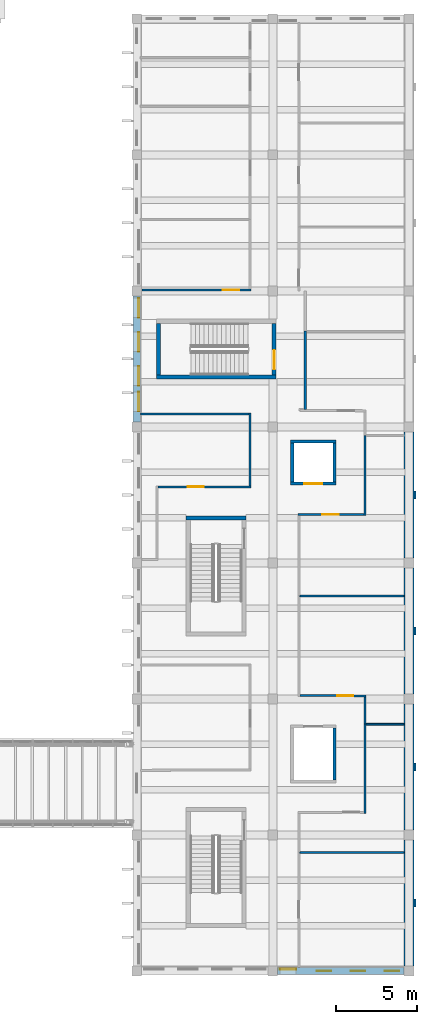
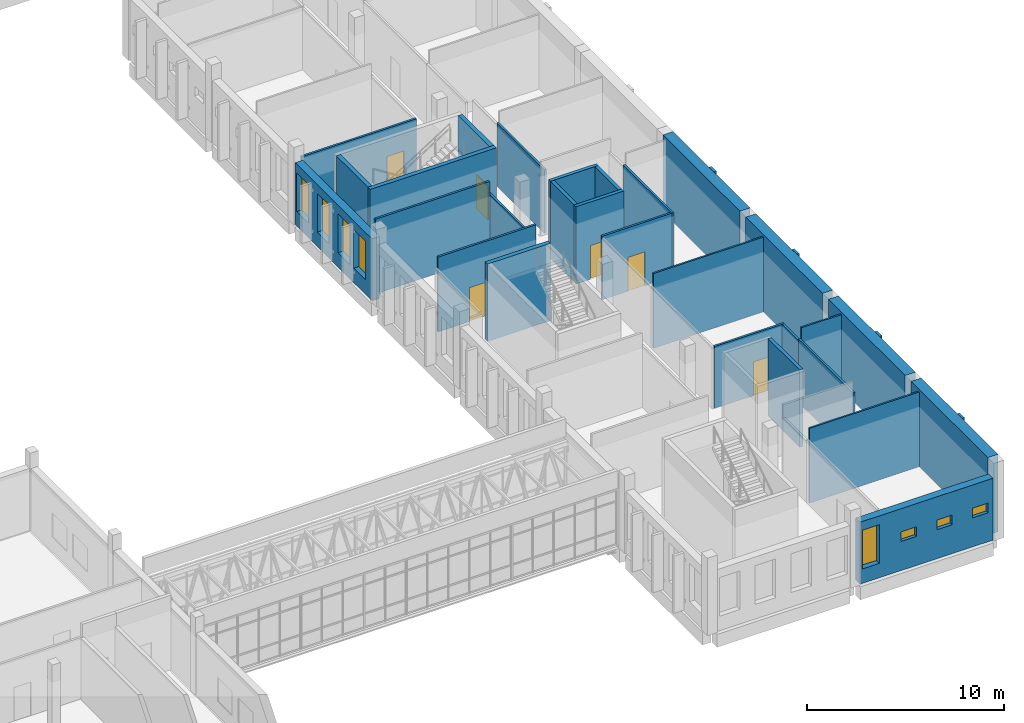
# One storey, part 63 of 119: 32 walls, 8 windows, 6 doors, 14 openings.
"""IFC4 building model written with IfcOpenShell, lengths in metres."""

from ifc_helpers import new_model, si_unit, direction, frame, frame_2d, origin, place, context, subcontext, project, spatial, rectangle, extrude, material, layer, layer_set, type_object, element, fill, save


model = new_model("IFC4")

# Units and contexts
model_context = context("Model", 3, precision=1e-05, world=origin(), true_north=direction((0.0, 1.0)))
body_context = subcontext(model_context, "Body", "Model", "MODEL_VIEW")
ifc_project = project(units=[si_unit("LENGTHUNIT", "METRE"), si_unit("AREAUNIT", "SQUARE_METRE"), si_unit("VOLUMEUNIT", "CUBIC_METRE"), si_unit("PLANEANGLEUNIT", "RADIAN"), si_unit("MASSUNIT", "GRAM", prefix="KILO")], contexts=[model_context])

# Site, building, storey
site_placement = place(None, origin())
site = spatial("IfcSite", under=ifc_project, at=site_placement, CompositionType="ELEMENT")
building_placement = place(site_placement, origin())
building = spatial("IfcBuilding", under=site, at=building_placement, Name="Larchfold Concert Hall", CompositionType="ELEMENT")
storey_placement = place(building_placement, frame((0.0, 0.0, 4.800048828125)))
storey = spatial("IfcBuildingStorey", under=building, at=storey_placement, Name="L01", CompositionType="ELEMENT", Elevation=4.800048828125)

# Wall
ifc_material_1 = material(Name="Plasterboard partition on steel studs", Category="steel")
ifc_layer_1 = layer(ifc_material_1, 0.125)
ifc_layer_set_1 = layer_set([ifc_layer_1], Name="Plasterboard partition on steel studs")
wall_type_1 = type_object("IfcWallType", Name="Corridor partition 125 EI 60", PredefinedType="PARTITIONING", material=ifc_layer_set_1)
wall_1_placement = place(storey_placement, frame((98.698974609375, 15.862060546875, 0.0), z_axis=(0.0, 0.0, 1.0), x_axis=(0.0, -1.0, 0.0)))
element("IfcWall", 1, at=wall_1_placement, inside=storey, type_object=wall_type_1, Name="Partition IW0027", PredefinedType="PARTITIONING", context=body_context, shape_type="SweptSolid", body=[
    extrude(rectangle(XDim=5.523681640625, YDim=0.125, at=frame_2d((2.76171875, 0.0))), origin(), (0.0, 0.0, 1.0), 3.93994140625),
])

# Wall, opening, door
wall_2_placement = place(storey_placement, frame((94.66162109375, 17.60888671875, 0.0), z_axis=(0.0, 0.0, 1.0), x_axis=(0.999997019568, -0.002441486203, 0.0)))
wall_2 = element("IfcWall", 2, at=wall_2_placement, inside=storey, type_object=wall_type_1, Name="Partition IW0034", PredefinedType="PARTITIONING", context=body_context, shape_type="SweptSolid", body=[
    extrude(rectangle(XDim=4.099853515625, YDim=0.125, at=frame_2d((2.0498046875, 0.0))), origin(), (0.0, 0.0, 1.0), 3.840087890625),
])
opening_1_placement = place(wall_2_placement, frame((2.30615234375, 0.0, 0.0)))
opening_1 = element("IfcOpeningElement", 3, at=opening_1_placement, cuts=wall_2, Name="Opening D-L01-123", PredefinedType="OPENING", context=body_context, shape_type="SweptSolid", body=[
    extrude(rectangle(XDim=1.0, YDim=2.10009765625, at=frame_2d((0.5, 1.050048828125))), frame((0.0, 0.072509765625, 0.0), z_axis=(0.0, -1.0, 0.0), x_axis=(1.0, 0.0, 0.0)), (0.0, 0.0, 1.0), 0.14501953125),
])
ifc_material_2 = material(Name="Timber door leaf", Category="wood")
door_type_1 = type_object("IfcDoorType", Name="Dressing room door 1000 x 2100 FD30S", OperationType="SINGLE_SWING_LEFT", PredefinedType="DOOR", material=ifc_material_2)
door_1_placement = place(opening_1_placement, origin())
door_1 = element("IfcDoor", 4, at=door_1_placement, inside=storey, type_object=door_type_1, Name="Door D-L01-123", OperationType="SINGLE_SWING_LEFT", OverallHeight=2.10009765625, OverallWidth=1.0, PredefinedType="DOOR", context=body_context, shape_type="SweptSolid", body=[
    extrude(rectangle(XDim=1.0, YDim=2.10009765625, at=frame_2d((0.5, 1.050048828125))), frame((0.0, 0.02490234375, 0.0), z_axis=(0.0, -1.0, 0.0), x_axis=(1.0, 0.0, 0.0)), (0.0, 0.0, 1.0), 0.050048828125),
])
fill(opening_1, door_1)

# Walls
wall_3_placement = place(storey_placement, frame((98.698974609375, 17.53662109375, 0.0), z_axis=(0.0, 0.0, 1.0), x_axis=(0.0, -1.0, 0.0)))
element("IfcWall", 5, at=wall_3_placement, inside=storey, type_object=wall_type_1, Name="Partition IW0035", PredefinedType="PARTITIONING", context=body_context, shape_type="SweptSolid", body=[
    extrude(rectangle(XDim=1.674560546875, YDim=0.125, at=frame_2d((0.83740234375, 0.0))), origin(), (0.0, 0.0, 1.0), 3.840087890625),
])
wall_4_placement = place(storey_placement, frame((98.698974609375, 33.68310546875, 0.0), z_axis=(0.0, 0.0, 1.0), x_axis=(0.0, -1.0, 0.0)))
element("IfcWall", 6, at=wall_4_placement, inside=storey, type_object=wall_type_1, Name="Partition IW0036", PredefinedType="PARTITIONING", context=body_context, shape_type="SweptSolid", body=[
    extrude(rectangle(XDim=4.944580078125, YDim=0.125, at=frame_2d((2.47216796875, 0.0))), origin(), (0.0, 0.0, 1.0), 3.93994140625),
])

# Wall, opening, door
wall_5_placement = place(storey_placement, frame((98.636474609375, 28.80078125, 0.0), z_axis=(0.0, 0.0, 1.0), x_axis=(-0.999998609293, -0.001667756332, 0.0)))
wall_5 = element("IfcWall", 7, at=wall_5_placement, inside=storey, type_object=wall_type_1, Name="Partition IW0037", PredefinedType="PARTITIONING", context=body_context, shape_type="SweptSolid", body=[
    extrude(rectangle(XDim=4.098876953125, YDim=0.125, at=frame_2d((2.04931640625, 0.0))), origin(), (0.0, 0.0, 1.0), 3.93994140625),
])
opening_2_placement = place(wall_5_placement, frame((1.57373046875, 0.0, 0.0)))
opening_2 = element("IfcOpeningElement", 8, at=opening_2_placement, cuts=wall_5, Name="Opening D-L01-124", PredefinedType="OPENING", context=body_context, shape_type="SweptSolid", body=[
    extrude(rectangle(XDim=1.0, YDim=2.10009765625, at=frame_2d((0.5, 1.050048828125))), frame((0.0, 0.072509765625, 0.0), z_axis=(0.0, -1.0, 0.0), x_axis=(1.0, 0.0, 0.0)), (0.0, 0.0, 1.0), 0.14501953125),
])
ifc_material_3 = material(Name="Timber door leaf", Category="wood")
door_type_2 = type_object("IfcDoorType", Name="Room door 1000 x 2100 FD30S", OperationType="SINGLE_SWING_LEFT", PredefinedType="DOOR", material=ifc_material_3)
door_2_placement = place(opening_2_placement, origin())
door_2 = element("IfcDoor", 9, at=door_2_placement, inside=storey, type_object=door_type_2, Name="Door D-L01-124", OperationType="SINGLE_SWING_RIGHT", OverallHeight=2.10009765625, OverallWidth=1.0, PredefinedType="DOOR", context=body_context, shape_type="SweptSolid", body=[
    extrude(rectangle(XDim=1.0, YDim=2.10009765625, at=frame_2d((0.5, 1.050048828125))), frame((0.0, 0.02490234375, 0.0), z_axis=(0.0, -1.0, 0.0), x_axis=(1.0, 0.0, 0.0)), (0.0, 0.0, 1.0), 0.050048828125),
])
fill(opening_2, door_2)

wall_6_placement = place(storey_placement, frame((85.91357421875, 30.4990234375, 0.0), z_axis=(0.0, 0.0, 1.0), x_axis=(1.0, 0.0, 0.0)))
wall_6 = element("IfcWall", 10, at=wall_6_placement, inside=storey, type_object=wall_type_1, Name="Partition IW0041", PredefinedType="PARTITIONING", context=body_context, shape_type="SweptSolid", body=[
    extrude(rectangle(XDim=5.740966796875, YDim=0.125, at=frame_2d((2.87060546875, 0.0))), origin(), (0.0, 0.0, 1.0), 4.639892578125),
])
opening_3_placement = place(wall_6_placement, frame((1.82666015625, 0.0, 0.0)))
opening_3 = element("IfcOpeningElement", 11, at=opening_3_placement, cuts=wall_6, Name="Opening D-L01-125", PredefinedType="OPENING", context=body_context, shape_type="SweptSolid", body=[
    extrude(rectangle(XDim=1.0, YDim=2.10009765625, at=frame_2d((0.5, 1.050048828125))), frame((0.0, 0.072509765625, 0.0), z_axis=(0.0, -1.0, 0.0), x_axis=(1.0, 0.0, 0.0)), (0.0, 0.0, 1.0), 0.14501953125),
])
door_3_placement = place(opening_3_placement, origin())
door_3 = element("IfcDoor", 12, at=door_3_placement, inside=storey, type_object=door_type_1, Name="Door D-L01-125", OperationType="SINGLE_SWING_LEFT", OverallHeight=2.10009765625, OverallWidth=1.0, PredefinedType="DOOR", context=body_context, shape_type="SweptSolid", body=[
    extrude(rectangle(XDim=1.0, YDim=2.10009765625, at=frame_2d((0.5, 1.050048828125))), frame((0.0, 0.02490234375, 0.0), z_axis=(0.0, -1.0, 0.0), x_axis=(1.0, 0.0, 0.0)), (0.0, 0.0, 1.0), 0.050048828125),
])
fill(opening_3, door_3)

# Walls
wall_7_placement = place(storey_placement, frame((91.592041015625, 30.5615234375, 0.0), z_axis=(0.0, 0.0, 1.0), x_axis=(0.000868243649, 0.999999623076, 0.0)))
element("IfcWall", 13, at=wall_7_placement, inside=storey, type_object=wall_type_1, Name="Partition IW0042", PredefinedType="PARTITIONING", context=body_context, shape_type="SweptSolid", body=[
    extrude(rectangle(XDim=4.4990234375, YDim=0.125, at=frame_2d((2.24951171875, 0.0))), origin(), (0.0, 0.0, 1.0), 3.840087890625),
])
wall_8_placement = place(storey_placement, frame((91.533447265625, 34.998046875, 0.0), z_axis=(0.0, 0.0, 1.0), x_axis=(-0.999999957615, 0.000291152588, 0.0)))
element("IfcWall", 14, at=wall_8_placement, inside=storey, type_object=wall_type_1, Name="Partition IW0043", PredefinedType="PARTITIONING", context=body_context, shape_type="SweptSolid", body=[
    extrude(rectangle(XDim=6.708251953125, YDim=0.125, at=frame_2d((3.35400390625, 0.0))), origin(), (0.0, 0.0, 1.0), 4.639892578125),
])
wall_9_placement = place(storey_placement, frame((94.9990234375, 40.118896484375, 0.0), z_axis=(0.0, 0.0, 1.0), x_axis=(0.0, -1.0, 0.0)))
element("IfcWall", 15, at=wall_9_placement, inside=storey, type_object=wall_type_1, Name="Partition IW0044", PredefinedType="PARTITIONING", context=body_context, shape_type="SweptSolid", body=[
    extrude(rectangle(XDim=4.830322265625, YDim=0.125, at=frame_2d((2.4150390625, 0.0))), origin(), (0.0, 0.0, 1.0), 3.93994140625),
])

# Wall, opening, door
wall_10_placement = place(storey_placement, frame((84.920166015625, 42.64892578125, 0.0), z_axis=(0.0, 0.0, 1.0), x_axis=(0.999999710811, 0.000760511133, 0.0)))
wall_10 = element("IfcWall", 16, at=wall_10_placement, inside=storey, type_object=wall_type_1, Name="Partition IW0049", PredefinedType="PARTITIONING", context=body_context, shape_type="SweptSolid", body=[
    extrude(rectangle(XDim=6.741455078125, YDim=0.125, at=frame_2d((3.37060546875, 0.0))), origin(), (0.0, 0.0, 1.0), 3.840087890625),
])
opening_4_placement = place(wall_10_placement, frame((4.995361328125, 0.0, 0.0)))
opening_4 = element("IfcOpeningElement", 17, at=opening_4_placement, cuts=wall_10, Name="Opening D-L01-128", PredefinedType="OPENING", context=body_context, shape_type="SweptSolid", body=[
    extrude(rectangle(XDim=1.0, YDim=2.10009765625, at=frame_2d((0.5, 1.050048828125))), frame((0.0, 0.072509765625, 0.0), z_axis=(0.0, -1.0, 0.0), x_axis=(1.0, 0.0, 0.0)), (0.0, 0.0, 1.0), 0.14501953125),
])
door_4_placement = place(opening_4_placement, origin())
door_4 = element("IfcDoor", 18, at=door_4_placement, inside=storey, type_object=door_type_1, Name="Door D-L01-128", OperationType="SINGLE_SWING_RIGHT", OverallHeight=2.10009765625, OverallWidth=1.0, PredefinedType="DOOR", context=body_context, shape_type="SweptSolid", body=[
    extrude(rectangle(XDim=1.0, YDim=2.10009765625, at=frame_2d((0.5, 1.050048828125))), frame((0.0, 0.02490234375, 0.0), z_axis=(0.0, -1.0, 0.0), x_axis=(1.0, 0.0, 0.0)), (0.0, 0.0, 1.0), 0.050048828125),
])
fill(opening_4, door_4)

# Walls
ifc_material_4 = material(Name="Plasterboard partition on steel studs", Category="steel")
ifc_layer_2 = layer(ifc_material_4, 0.10009765625)
ifc_layer_set_2 = layer_set([ifc_layer_2], Name="Plasterboard partition on steel studs")
wall_type_2 = type_object("IfcWallType", Name="Stud partition 100", PredefinedType="PARTITIONING", material=ifc_layer_set_2)
wall_11_placement = place(storey_placement, frame((94.6650390625, 7.9208984375, 0.0), z_axis=(0.0, 0.0, 1.0), x_axis=(1.0, 0.0, 0.0)))
element("IfcWall", 19, at=wall_11_placement, inside=storey, type_object=wall_type_2, Name="Partition IW0056", PredefinedType="PARTITIONING", context=body_context, shape_type="SweptSolid", body=[
    extrude(rectangle(XDim=6.43505859375, YDim=0.10009765625, at=frame_2d((3.217529296875, 0.0))), origin(), (0.0, 0.0, 1.0), 4.639892578125),
])
wall_12_placement = place(storey_placement, frame((98.764892578125, 15.842041015625, 0.0), z_axis=(0.0, 0.0, 1.0), x_axis=(1.0, 0.0, 0.0)))
element("IfcWall", 20, at=wall_12_placement, inside=storey, type_object=wall_type_2, Name="Partition IW0057", PredefinedType="PARTITIONING", context=body_context, shape_type="SweptSolid", body=[
    extrude(rectangle(XDim=2.335205078125, YDim=0.10009765625, at=frame_2d((1.16748046875, 0.0))), origin(), (0.0, 0.0, 1.0), 4.639892578125),
])
wall_13_placement = place(storey_placement, frame((94.6650390625, 23.761962890625, 0.0), z_axis=(0.0, 0.0, 1.0), x_axis=(1.0, 0.0, 0.0)))
element("IfcWall", 21, at=wall_13_placement, inside=storey, type_object=wall_type_2, Name="Partition IW0058", PredefinedType="PARTITIONING", context=body_context, shape_type="SweptSolid", body=[
    extrude(rectangle(XDim=6.43505859375, YDim=0.10009765625, at=frame_2d((3.217529296875, 0.0))), origin(), (0.0, 0.0, 1.0), 4.639892578125),
])
ifc_material_5 = material(Name="Concrete C40/50", Category="concrete")
ifc_layer_3 = layer(ifc_material_5, 0.199951171875)
ifc_layer_set_3 = layer_set([ifc_layer_3], Name="Concrete C40/50")
wall_type_3 = type_object("IfcWallType", Name="Wall RC 200 lift shaft", PredefinedType="SOLIDWALL", material=ifc_layer_set_3)
wall_14_placement = place(storey_placement, frame((96.7998046875, 12.39990234375, 0.0), z_axis=(0.0, 0.0, 1.0), x_axis=(0.0, 1.0, 0.0)))
element("IfcWall", 22, at=wall_14_placement, inside=storey, type_object=wall_type_3, Name="Wall W0167", PredefinedType="SOLIDWALL", context=body_context, shape_type="SweptSolid", body=[
    extrude(rectangle(XDim=3.2001953125, YDim=0.199951171875, at=frame_2d((1.60009765625, 0.0))), origin(), (0.0, 0.0, 1.0), 4.800048828125),
])

# Wall, opening, door
wall_15_placement = place(storey_placement, frame((94.10009765625, 30.7001953125, 0.0), z_axis=(0.0, 0.0, 1.0), x_axis=(1.0, 0.0, 0.0)))
wall_15 = element("IfcWall", 23, at=wall_15_placement, inside=storey, type_object=wall_type_3, Name="Wall W0168", PredefinedType="SOLIDWALL", context=body_context, shape_type="SweptSolid", body=[
    extrude(rectangle(XDim=2.7998046875, YDim=0.199951171875, at=frame_2d((1.39990234375, 0.0))), origin(), (0.0, 0.0, 1.0), 4.800048828125),
])
opening_5_placement = place(wall_15_placement, frame((0.849853515625, 0.0, 0.0)))
opening_5 = element("IfcOpeningElement", 24, at=opening_5_placement, cuts=wall_15, Name="Opening LD-LF07", PredefinedType="OPENING", context=body_context, shape_type="SweptSolid", body=[
    extrude(rectangle(XDim=1.10009765625, YDim=2.10009765625, at=frame_2d((0.550048828125, 1.050048828125))), frame((0.0, 0.10986328125, 0.0), z_axis=(0.0, -1.0, 0.0), x_axis=(1.0, 0.0, 0.0)), (0.0, 0.0, 1.0), 0.219970703125),
])
ifc_material_6 = material(Name="Stainless steel sliding leaves", Category="steel")
door_type_3 = type_object("IfcDoorType", Name="Lift landing door sliding 1100 x 2100", OperationType="SLIDING_TO_LEFT", PredefinedType="DOOR", material=ifc_material_6)
door_5_placement = place(opening_5_placement, origin())
door_5 = element("IfcDoor", 25, at=door_5_placement, inside=storey, type_object=door_type_3, Name="Lift landing door LF07", OperationType="SLIDING_TO_LEFT", OverallHeight=2.10009765625, OverallWidth=1.10009765625, PredefinedType="DOOR", context=body_context, shape_type="SweptSolid", body=[
    extrude(rectangle(XDim=1.10009765625, YDim=2.10009765625, at=frame_2d((0.550048828125, 1.050048828125))), frame((0.0, 0.02490234375, 0.0), z_axis=(0.0, -1.0, 0.0), x_axis=(1.0, 0.0, 0.0)), (0.0, 0.0, 1.0), 0.050048828125),
])
fill(opening_5, door_5)

# Walls
wall_16_placement = place(storey_placement, frame((94.10009765625, 33.2998046875, 0.0), z_axis=(0.0, 0.0, 1.0), x_axis=(1.0, 0.0, 0.0)))
element("IfcWall", 26, at=wall_16_placement, inside=storey, type_object=wall_type_3, Name="Wall W0169", PredefinedType="SOLIDWALL", context=body_context, shape_type="SweptSolid", body=[
    extrude(rectangle(XDim=2.7998046875, YDim=0.199951171875, at=frame_2d((1.39990234375, 0.0))), origin(), (0.0, 0.0, 1.0), 4.800048828125),
])
for number, where, z_axis, x_axis, name in (
    (27, (94.2001953125, 30.800048828125, 0.0), (0.0, 0.0, 1.0), (0.0, 1.0, 0.0), "Wall W0170"),
    (28, (96.7998046875, 30.800048828125, 0.0), (0.0, 0.0, 1.0), (0.0, 1.0, 0.0), "Wall W0171"),
):
    element("IfcWall", number, at=place(storey_placement, frame(where, z_axis=z_axis, x_axis=x_axis)), inside=storey, type_object=wall_type_3, Name=name, PredefinedType="SOLIDWALL", context=body_context, shape_type="SweptSolid", body=[
        extrude(rectangle(XDim=2.39990234375, YDim=0.199951171875, at=frame_2d((1.199951171875, 0.0))), origin(), (0.0, 0.0, 1.0), 4.800048828125),
    ])
ifc_material_7 = material(Name="Concrete C40/50", Category="concrete")
ifc_layer_4 = layer(ifc_material_7, 0.25)
ifc_layer_set_4 = layer_set([ifc_layer_4], Name="Concrete C40/50")
wall_type_4 = type_object("IfcWallType", Name="Wall RC 250 stair core", PredefinedType="SOLIDWALL", material=ifc_layer_set_4)
wall_17_placement = place(storey_placement, frame((87.64990234375, 28.574951171875, 0.0), z_axis=(0.0, 0.0, 1.0), x_axis=(1.0, 0.0, 0.0)))
element("IfcWall", 29, at=wall_17_placement, inside=storey, type_object=wall_type_4, Name="Wall W0085", PredefinedType="SOLIDWALL", context=body_context, shape_type="SweptSolid", body=[
    extrude(rectangle(XDim=3.7001953125, YDim=0.25, at=frame_2d((1.85009765625, 0.0))), origin(), (0.0, 0.0, 1.0), 4.800048828125),
])
wall_18_placement = place(storey_placement, frame((85.800048828125, 37.27490234375, 0.0), z_axis=(0.0, 0.0, 1.0), x_axis=(1.0, 0.0, 0.0)))
element("IfcWall", 30, at=wall_18_placement, inside=storey, type_object=wall_type_4, Name="Wall W0088", PredefinedType="SOLIDWALL", context=body_context, shape_type="SweptSolid", body=[
    extrude(rectangle(XDim=7.39990234375, YDim=0.25, at=frame_2d((3.699951171875, 0.0))), origin(), (0.0, 0.0, 1.0), 4.800048828125),
])
wall_19_placement = place(storey_placement, frame((85.925048828125, 37.39990234375, 0.0), z_axis=(0.0, 0.0, 1.0), x_axis=(0.0, 1.0, 0.0)))
element("IfcWall", 31, at=wall_19_placement, inside=storey, type_object=wall_type_4, Name="Wall W0090", PredefinedType="SOLIDWALL", context=body_context, shape_type="SweptSolid", body=[
    extrude(rectangle(XDim=3.2001953125, YDim=0.25, at=frame_2d((1.60009765625, 0.0))), origin(), (0.0, 0.0, 1.0), 4.800048828125),
])

# Wall, opening, door
wall_20_placement = place(storey_placement, frame((93.074951171875, 37.39990234375, 0.0), z_axis=(0.0, 0.0, 1.0), x_axis=(0.0, 1.0, 0.0)))
wall_20 = element("IfcWall", 32, at=wall_20_placement, inside=storey, type_object=wall_type_4, Name="Wall W0091", PredefinedType="SOLIDWALL", context=body_context, shape_type="SweptSolid", body=[
    extrude(rectangle(XDim=3.2001953125, YDim=0.25, at=frame_2d((1.60009765625, 0.0))), origin(), (0.0, 0.0, 1.0), 4.800048828125),
])
opening_6_placement = place(wall_20_placement, frame((0.35009765625, 0.0, 0.0)))
opening_6 = element("IfcOpeningElement", 33, at=opening_6_placement, cuts=wall_20, Name="Opening D-L01-175", PredefinedType="OPENING", context=body_context, shape_type="SweptSolid", body=[
    extrude(rectangle(XDim=1.199951171875, YDim=2.10009765625, at=frame_2d((0.60009765625, 1.050048828125))), frame((0.0, 0.135009765625, 0.0), z_axis=(0.0, -1.0, 0.0), x_axis=(1.0, 0.0, 0.0)), (0.0, 0.0, 1.0), 0.27001953125),
])
ifc_material_8 = material(Name="Timber door leaf", Category="wood")
door_type_4 = type_object("IfcDoorType", Name="Stair enclosure door pair 1200 x 2100 FD60", OperationType="SINGLE_SWING_LEFT", PredefinedType="DOOR", material=ifc_material_8)
door_6_placement = place(opening_6_placement, origin())
door_6 = element("IfcDoor", 34, at=door_6_placement, inside=storey, type_object=door_type_4, Name="Door D-L01-175", OperationType="DOUBLE_DOOR_SINGLE_SWING", OverallHeight=2.10009765625, OverallWidth=1.199951171875, PredefinedType="DOOR", context=body_context, shape_type="SweptSolid", body=[
    extrude(rectangle(XDim=1.199951171875, YDim=2.10009765625, at=frame_2d((0.60009765625, 1.050048828125))), frame((0.0, 0.02490234375, 0.0), z_axis=(0.0, -1.0, 0.0), x_axis=(1.0, 0.0, 0.0)), (0.0, 0.0, 1.0), 0.050048828125),
])
fill(opening_6, door_6)

# Walls
ifc_material_9 = material(Name="Concrete C40/50", Category="concrete")
ifc_layer_5 = layer(ifc_material_9, 0.60009765625)
ifc_layer_set_5 = layer_set([ifc_layer_5], Name="Concrete C40/50")
wall_type_5 = type_object("IfcWallType", Name="Wall RC 600 party wall", PredefinedType="SOLIDWALL", material=ifc_layer_set_5)
for number, where, z_axis, x_axis, name in (
    (35, (101.39990234375, 0.89990234375, 0.0), (0.0, 0.0, 1.0), (0.0, 1.0, 0.0), "Wall W0020"),
    (36, (101.39990234375, 9.300048828125, 0.0), (0.0, 0.0, 1.0), (0.0, 1.0, 0.0), "Wall W0021"),
    (37, (101.39990234375, 17.699951171875, 0.0), (0.0, 0.0, 1.0), (0.0, 1.0, 0.0), "Wall W0022"),
):
    element("IfcWall", number, at=place(storey_placement, frame(where, z_axis=z_axis, x_axis=x_axis)), inside=storey, type_object=wall_type_5, Name=name, PredefinedType="SOLIDWALL", context=body_context, shape_type="SweptSolid", body=[
        extrude(rectangle(XDim=7.800048828125, YDim=0.60009765625, at=frame_2d((3.89990234375, 0.0))), origin(), (0.0, 0.0, 1.0), 4.800048828125),
    ])
wall_21_placement = place(storey_placement, frame((101.39990234375, 26.10009765625, 0.0), z_axis=(0.0, 0.0, 1.0), x_axis=(0.0, 1.0, 0.0)))
element("IfcWall", 38, at=wall_21_placement, inside=storey, type_object=wall_type_5, Name="Wall W0023", PredefinedType="SOLIDWALL", context=body_context, shape_type="SweptSolid", body=[
    extrude(rectangle(XDim=7.7998046875, YDim=0.60009765625, at=frame_2d((3.89990234375, 0.0))), origin(), (0.0, 0.0, 1.0), 4.800048828125),
])

# Wall, openings, windows
ifc_material_10 = material(Name="White render on mineral wool and block")
ifc_layer_6 = layer(ifc_material_10, 0.449951171875)
ifc_layer_set_6 = layer_set([ifc_layer_6], Name="White render on mineral wool and block")
wall_type_6 = type_object("IfcWallType", Name="White render infill wall 450", PredefinedType="SOLIDWALL", material=ifc_layer_set_6)
wall_22_placement = place(storey_placement, frame((84.60009765625, 42.300048828125, 0.0), z_axis=(0.0, 0.0, 1.0), x_axis=(0.0, -1.0, 0.0)))
wall_22 = element("IfcWall", 39, at=wall_22_placement, inside=storey, type_object=wall_type_6, Name="Infill wall W5138", PredefinedType="SOLIDWALL", context=body_context, shape_type="SweptSolid", body=[
    extrude(rectangle(XDim=7.800048828125, YDim=0.449951171875, at=frame_2d((3.89990234375, 0.0))), origin(), (0.0, 0.0, 1.0), 3.840087890625),
])
opening_7_placement = place(wall_22_placement, frame((5.93505859375, 0.0, 0.89990234375)))
opening_7 = element("IfcOpeningElement", 40, at=opening_7_placement, cuts=wall_22, Name="Opening WN-L01-073", PredefinedType="OPENING", context=body_context, shape_type="SweptSolid", body=[
    extrude(rectangle(XDim=1.199951171875, YDim=2.39990234375, at=frame_2d((0.60009765625, 1.199951171875))), frame((0.0, 0.23486328125, 0.0), z_axis=(0.0, -1.0, 0.0), x_axis=(1.0, 0.0, 0.0)), (0.0, 0.0, 1.0), 0.469970703125),
])
opening_8_placement = place(wall_22_placement, frame((4.35009765625, 0.0, 0.89990234375)))
opening_8 = element("IfcOpeningElement", 41, at=opening_8_placement, cuts=wall_22, Name="Opening WN-L01-074", PredefinedType="OPENING", context=body_context, shape_type="SweptSolid", body=[
    extrude(rectangle(XDim=1.199951171875, YDim=2.39990234375, at=frame_2d((0.60009765625, 1.199951171875))), frame((0.0, 0.23486328125, 0.0), z_axis=(0.0, -1.0, 0.0), x_axis=(1.0, 0.0, 0.0)), (0.0, 0.0, 1.0), 0.469970703125),
])
opening_9_placement = place(wall_22_placement, frame((2.25, 0.0, 0.89990234375)))
opening_9 = element("IfcOpeningElement", 42, at=opening_9_placement, cuts=wall_22, Name="Opening WN-L01-075", PredefinedType="OPENING", context=body_context, shape_type="SweptSolid", body=[
    extrude(rectangle(XDim=1.199951171875, YDim=2.39990234375, at=frame_2d((0.60009765625, 1.199951171875))), frame((0.0, 0.23486328125, 0.0), z_axis=(0.0, -1.0, 0.0), x_axis=(1.0, 0.0, 0.0)), (0.0, 0.0, 1.0), 0.469970703125),
])
opening_10_placement = place(wall_22_placement, frame((0.150146484375, 0.0, 0.89990234375)))
opening_10 = element("IfcOpeningElement", 43, at=opening_10_placement, cuts=wall_22, Name="Opening WN-L01-076", PredefinedType="OPENING", context=body_context, shape_type="SweptSolid", body=[
    extrude(rectangle(XDim=1.199951171875, YDim=2.39990234375, at=frame_2d((0.60009765625, 1.199951171875))), frame((0.0, 0.23486328125, 0.0), z_axis=(0.0, -1.0, 0.0), x_axis=(1.0, 0.0, 0.0)), (0.0, 0.0, 1.0), 0.469970703125),
])
ifc_material_11 = material(Name="Anodised graphite aluminium frame with glass", Category="aluminium")
window_type_1 = type_object("IfcWindowType", Name="Slot window 1200x2400", PartitioningType="SINGLE_PANEL", PredefinedType="WINDOW", material=ifc_material_11)
window_1_placement = place(opening_7_placement, origin())
window_1 = element("IfcWindow", 44, at=window_1_placement, inside=storey, type_object=window_type_1, Name="Window WN-L01-073", OverallHeight=2.39990234375, OverallWidth=1.199951171875, PartitioningType="SINGLE_PANEL", PredefinedType="WINDOW", context=body_context, shape_type="SweptSolid", body=[
    extrude(rectangle(XDim=1.199951171875, YDim=2.39990234375, at=frame_2d((0.60009765625, 1.199951171875))), frame((0.0, 0.135009765625, 0.0), z_axis=(0.0, -1.0, 0.0), x_axis=(1.0, 0.0, 0.0)), (0.0, 0.0, 1.0), 0.06005859375),
])
fill(opening_7, window_1)
window_2_placement = place(opening_8_placement, origin())
window_2 = element("IfcWindow", 45, at=window_2_placement, inside=storey, type_object=window_type_1, Name="Window WN-L01-074", OverallHeight=2.39990234375, OverallWidth=1.199951171875, PartitioningType="SINGLE_PANEL", PredefinedType="WINDOW", context=body_context, shape_type="SweptSolid", body=[
    extrude(rectangle(XDim=1.199951171875, YDim=2.39990234375, at=frame_2d((0.60009765625, 1.199951171875))), frame((0.0, 0.135009765625, 0.0), z_axis=(0.0, -1.0, 0.0), x_axis=(1.0, 0.0, 0.0)), (0.0, 0.0, 1.0), 0.06005859375),
])
fill(opening_8, window_2)
window_3_placement = place(opening_9_placement, origin())
window_3 = element("IfcWindow", 46, at=window_3_placement, inside=storey, type_object=window_type_1, Name="Window WN-L01-075", OverallHeight=2.39990234375, OverallWidth=1.199951171875, PartitioningType="SINGLE_PANEL", PredefinedType="WINDOW", context=body_context, shape_type="SweptSolid", body=[
    extrude(rectangle(XDim=1.199951171875, YDim=2.39990234375, at=frame_2d((0.60009765625, 1.199951171875))), frame((0.0, 0.135009765625, 0.0), z_axis=(0.0, -1.0, 0.0), x_axis=(1.0, 0.0, 0.0)), (0.0, 0.0, 1.0), 0.06005859375),
])
fill(opening_9, window_3)
window_4_placement = place(opening_10_placement, origin())
window_4 = element("IfcWindow", 47, at=window_4_placement, inside=storey, type_object=window_type_1, Name="Window WN-L01-076", OverallHeight=2.39990234375, OverallWidth=1.199951171875, PartitioningType="SINGLE_PANEL", PredefinedType="WINDOW", context=body_context, shape_type="SweptSolid", body=[
    extrude(rectangle(XDim=1.199951171875, YDim=2.39990234375, at=frame_2d((0.60009765625, 1.199951171875))), frame((0.0, 0.135009765625, 0.0), z_axis=(0.0, -1.0, 0.0), x_axis=(1.0, 0.0, 0.0)), (0.0, 0.0, 1.0), 0.06005859375),
])
fill(opening_10, window_4)

wall_23_placement = place(storey_placement, frame((93.300048828125, 0.60009765625, 0.0), z_axis=(0.0, 0.0, 1.0), x_axis=(1.0, 0.0, 0.0)))
wall_23 = element("IfcWall", 48, at=wall_23_placement, inside=storey, type_object=wall_type_6, Name="Infill wall W5144", PredefinedType="SOLIDWALL", context=body_context, shape_type="SweptSolid", body=[
    extrude(rectangle(XDim=7.7998046875, YDim=0.449951171875, at=frame_2d((3.89990234375, 0.0))), origin(), (0.0, 0.0, 1.0), 3.840087890625),
])
opening_11_placement = place(wall_23_placement, frame((0.128662109375, 0.0, 0.89990234375)))
opening_11 = element("IfcOpeningElement", 49, at=opening_11_placement, cuts=wall_23, Name="Opening WN-L01-094", PredefinedType="OPENING", context=body_context, shape_type="SweptSolid", body=[
    extrude(rectangle(XDim=1.0, YDim=2.39990234375, at=frame_2d((0.5, 1.199951171875))), frame((0.0, 0.23486328125, 0.0), z_axis=(0.0, -1.0, 0.0), x_axis=(1.0, 0.0, 0.0)), (0.0, 0.0, 1.0), 0.469970703125),
])
opening_12_placement = place(wall_23_placement, frame((2.39990234375, 0.0, 1.800048828125)))
opening_12 = element("IfcOpeningElement", 50, at=opening_12_placement, cuts=wall_23, Name="Opening WN-L01-095", PredefinedType="OPENING", context=body_context, shape_type="SweptSolid", body=[
    extrude(rectangle(XDim=0.89990234375, YDim=0.60009765625, at=frame_2d((0.449951171875, 0.300048828125))), frame((0.0, 0.23486328125, 0.0), z_axis=(0.0, -1.0, 0.0), x_axis=(1.0, 0.0, 0.0)), (0.0, 0.0, 1.0), 0.469970703125),
])
opening_13_placement = place(wall_23_placement, frame((4.5, 0.0, 1.800048828125)))
opening_13 = element("IfcOpeningElement", 51, at=opening_13_placement, cuts=wall_23, Name="Opening WN-L01-096", PredefinedType="OPENING", context=body_context, shape_type="SweptSolid", body=[
    extrude(rectangle(XDim=0.89990234375, YDim=0.60009765625, at=frame_2d((0.449951171875, 0.300048828125))), frame((0.0, 0.23486328125, 0.0), z_axis=(0.0, -1.0, 0.0), x_axis=(1.0, 0.0, 0.0)), (0.0, 0.0, 1.0), 0.469970703125),
])
opening_14_placement = place(wall_23_placement, frame((6.599853515625, 0.0, 1.800048828125)))
opening_14 = element("IfcOpeningElement", 52, at=opening_14_placement, cuts=wall_23, Name="Opening WN-L01-097", PredefinedType="OPENING", context=body_context, shape_type="SweptSolid", body=[
    extrude(rectangle(XDim=0.89990234375, YDim=0.60009765625, at=frame_2d((0.449951171875, 0.300048828125))), frame((0.0, 0.23486328125, 0.0), z_axis=(0.0, -1.0, 0.0), x_axis=(1.0, 0.0, 0.0)), (0.0, 0.0, 1.0), 0.469970703125),
])
ifc_material_12 = material(Name="Anodised graphite aluminium frame with glass", Category="aluminium")
window_type_2 = type_object("IfcWindowType", Name="Slot window 1000x2400", PartitioningType="SINGLE_PANEL", PredefinedType="WINDOW", material=ifc_material_12)
window_5_placement = place(opening_11_placement, origin())
window_5 = element("IfcWindow", 53, at=window_5_placement, inside=storey, type_object=window_type_2, Name="Window WN-L01-094", OverallHeight=2.39990234375, OverallWidth=1.0, PartitioningType="SINGLE_PANEL", PredefinedType="WINDOW", context=body_context, shape_type="SweptSolid", body=[
    extrude(rectangle(XDim=1.0, YDim=2.39990234375, at=frame_2d((0.5, 1.199951171875))), frame((0.0, 0.135009765625, 0.0), z_axis=(0.0, -1.0, 0.0), x_axis=(1.0, 0.0, 0.0)), (0.0, 0.0, 1.0), 0.06005859375),
])
fill(opening_11, window_5)
ifc_material_13 = material(Name="Anodised graphite aluminium frame with obscured glass", Category="aluminium")
window_type_3 = type_object("IfcWindowType", Name="Toilet high window 900x600", PartitioningType="SINGLE_PANEL", PredefinedType="WINDOW", material=ifc_material_13)
window_6_placement = place(opening_12_placement, origin())
window_6 = element("IfcWindow", 54, at=window_6_placement, inside=storey, type_object=window_type_3, Name="Window WN-L01-095", OverallHeight=0.60009765625, OverallWidth=0.89990234375, PartitioningType="SINGLE_PANEL", PredefinedType="WINDOW", context=body_context, shape_type="SweptSolid", body=[
    extrude(rectangle(XDim=0.89990234375, YDim=0.60009765625, at=frame_2d((0.449951171875, 0.300048828125))), frame((0.0, 0.034912109375, 0.0), z_axis=(0.0, -1.0, 0.0), x_axis=(1.0, 0.0, 0.0)), (0.0, 0.0, 1.0), 0.06005859375),
])
fill(opening_12, window_6)
window_7_placement = place(opening_13_placement, origin())
window_7 = element("IfcWindow", 55, at=window_7_placement, inside=storey, type_object=window_type_3, Name="Window WN-L01-096", OverallHeight=0.60009765625, OverallWidth=0.89990234375, PartitioningType="SINGLE_PANEL", PredefinedType="WINDOW", context=body_context, shape_type="SweptSolid", body=[
    extrude(rectangle(XDim=0.89990234375, YDim=0.60009765625, at=frame_2d((0.449951171875, 0.300048828125))), frame((0.0, 0.034912109375, 0.0), z_axis=(0.0, -1.0, 0.0), x_axis=(1.0, 0.0, 0.0)), (0.0, 0.0, 1.0), 0.06005859375),
])
fill(opening_13, window_7)
window_8_placement = place(opening_14_placement, origin())
window_8 = element("IfcWindow", 56, at=window_8_placement, inside=storey, type_object=window_type_3, Name="Window WN-L01-097", OverallHeight=0.60009765625, OverallWidth=0.89990234375, PartitioningType="SINGLE_PANEL", PredefinedType="WINDOW", context=body_context, shape_type="SweptSolid", body=[
    extrude(rectangle(XDim=0.89990234375, YDim=0.60009765625, at=frame_2d((0.449951171875, 0.300048828125))), frame((0.0, 0.034912109375, 0.0), z_axis=(0.0, -1.0, 0.0), x_axis=(1.0, 0.0, 0.0)), (0.0, 0.0, 1.0), 0.06005859375),
])
fill(opening_14, window_8)

# Walls
ifc_material_14 = material(Name="White render on insulated block")
ifc_layer_7 = layer(ifc_material_14, 0.14990234375)
ifc_layer_set_7 = layer_set([ifc_layer_7], Name="White render on insulated block")
wall_type_7 = type_object("IfcWallType", Name="White render pilaster 150", PredefinedType="SOLIDWALL", material=ifc_layer_set_7)
for number, where, z_axis, x_axis, name in (
    (57, (101.77490234375, 4.550048828125, 0.0), (0.0, 0.0, 1.0), (0.0, 1.0, 0.0), "Pilaster W5345"),
    (58, (101.77490234375, 12.949951171875, 0.0), (0.0, 0.0, 1.0), (0.0, 1.0, 0.0), "Pilaster W5346"),
    (59, (101.77490234375, 21.35009765625, 0.0), (0.0, 0.0, 1.0), (0.0, 1.0, 0.0), "Pilaster W5347"),
    (60, (101.77490234375, 29.75, 0.0), (0.0, 0.0, 1.0), (0.0, 1.0, 0.0), "Pilaster W5348"),
):
    element("IfcWall", number, at=place(storey_placement, frame(where, z_axis=z_axis, x_axis=x_axis)), inside=storey, type_object=wall_type_7, Name=name, PredefinedType="SOLIDWALL", context=body_context, shape_type="SweptSolid", body=[
        extrude(rectangle(XDim=0.5, YDim=0.14990234375, at=frame_2d((0.25, 0.0))), origin(), (0.0, 0.0, 1.0), 4.800048828125),
    ])

save(model, "model.ifc")
